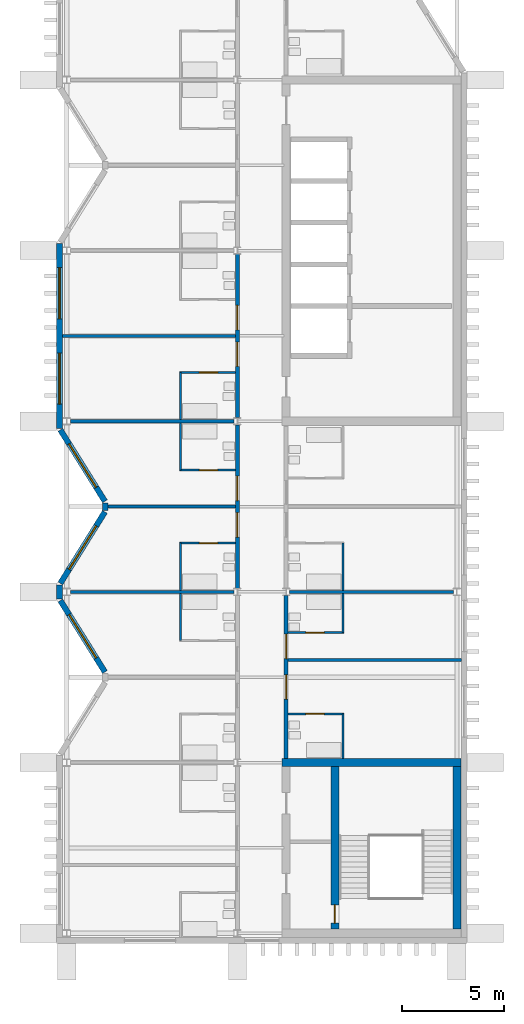
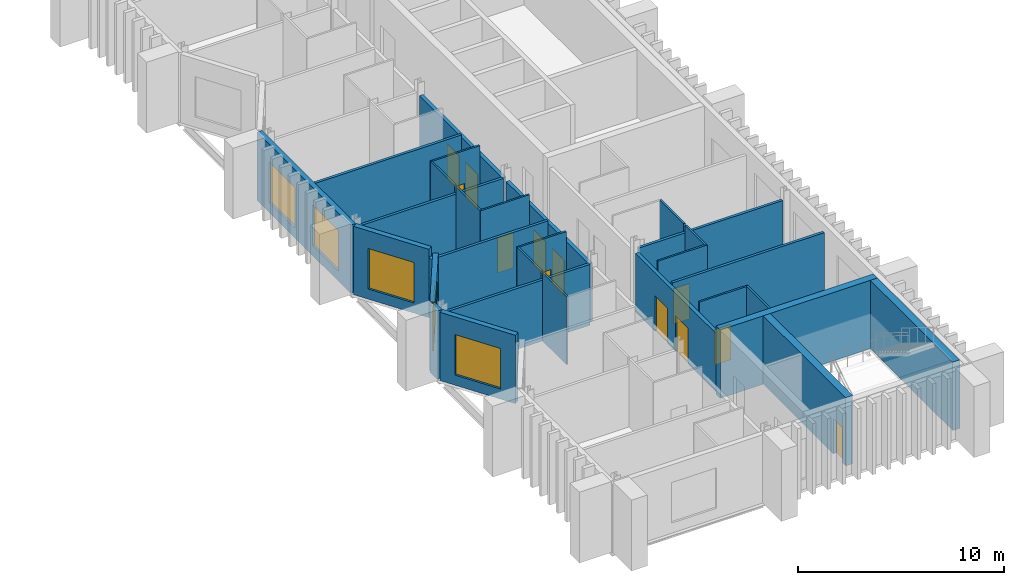
# One storey, part 5 of 11: 30 walls, 12 doors, 5 windows, 17 openings.
"""IFC4 building model written with IfcOpenShell, lengths in metres."""

from ifc_helpers import new_model, si_unit, direction, frame, frame_2d, origin, place, context, subcontext, project, spatial, rectangle, extrude, material, layer, layer_set, type_object, element, fill, save


model = new_model("IFC4")

# Units and contexts
model_context = context("Model", 3, precision=1e-05, world=origin(), true_north=direction((0.0, 1.0)))
body_context = subcontext(model_context, "Body", "Model", "MODEL_VIEW")
ifc_project = project(units=[si_unit("LENGTHUNIT", "METRE"), si_unit("AREAUNIT", "SQUARE_METRE"), si_unit("VOLUMEUNIT", "CUBIC_METRE"), si_unit("PLANEANGLEUNIT", "RADIAN"), si_unit("MASSUNIT", "GRAM", prefix="KILO")], contexts=[model_context])

# Site, building, storey
site_placement = place(None, origin())
site = spatial("IfcSite", under=ifc_project, at=site_placement, CompositionType="ELEMENT")
building_placement = place(site_placement, origin())
building = spatial("IfcBuilding", under=site, at=building_placement, Name="Cresset Court Congress Hotel", CompositionType="ELEMENT")
storey_placement = place(building_placement, frame((0.0, 0.0, 43.800048828125)))
storey = spatial("IfcBuildingStorey", under=building, at=storey_placement, Name="L10", CompositionType="ELEMENT", Elevation=43.800048828125)

# Wall, openings, doors
ifc_material_1 = material(Name="Gypsum board partition")
ifc_layer_1 = layer(ifc_material_1, 0.199951171875)
ifc_layer_set_1 = layer_set([ifc_layer_1], Name="Corridor wall 200")
wall_type_1 = type_object("IfcWallType", Name="Corridor wall 200", PredefinedType="PARTITIONING", material=ifc_layer_set_1)
wall_1_placement = place(storey_placement, frame((165.60009765625, 16.97509765625, 0.0), z_axis=(0.0, 0.0, 1.0), x_axis=(0.0, 1.0, 0.0)))
wall_1 = element("IfcWall", 1, at=wall_1_placement, inside=storey, type_object=wall_type_1, Name="A.wl.L10.072", PredefinedType="PARTITIONING", context=body_context, shape_type="SweptSolid", body=[
    extrude(rectangle(XDim=8.0498046875, YDim=0.199951171875, at=frame_2d((4.02490234375, 0.0))), origin(), (0.0, 0.0, 1.0), 3.449951171875),
])
opening_1_placement = place(wall_1_placement, frame((2.52490234375, 0.0, 0.0)))
opening_1 = element("IfcOpeningElement", 2, at=opening_1_placement, cuts=wall_1, Name="Opening DA-10-10", PredefinedType="OPENING", context=body_context, shape_type="SweptSolid", body=[
    extrude(rectangle(XDim=1.199951171875, YDim=2.10009765625, at=frame_2d((0.60009765625, 1.050048828125))), frame((0.0, 0.10986328125, 0.0), z_axis=(0.0, -1.0, 0.0), x_axis=(1.0, 0.0, 0.0)), (0.0, 0.0, 1.0), 0.219970703125),
])
opening_2_placement = place(wall_1_placement, frame((4.324951171875, 0.0, 0.0)))
opening_2 = element("IfcOpeningElement", 3, at=opening_2_placement, cuts=wall_1, Name="Opening DA-10-12", PredefinedType="OPENING", context=body_context, shape_type="SweptSolid", body=[
    extrude(rectangle(XDim=1.199951171875, YDim=2.10009765625, at=frame_2d((0.60009765625, 1.050048828125))), frame((0.0, 0.10986328125, 0.0), z_axis=(0.0, -1.0, 0.0), x_axis=(1.0, 0.0, 0.0)), (0.0, 0.0, 1.0), 0.219970703125),
])
ifc_material_2 = material(Name="timber", Category="wood")
door_type_1 = type_object("IfcDoorType", Name="Guest-room entry door 1200x2100 FD30S", OperationType="SINGLE_SWING_LEFT", PredefinedType="DOOR", material=ifc_material_2)
door_1_placement = place(opening_1_placement, origin())
door_1 = element("IfcDoor", 4, at=door_1_placement, inside=storey, type_object=door_type_1, Name="Door DA-10-10", OperationType="SINGLE_SWING_RIGHT", OverallHeight=2.10009765625, OverallWidth=1.199951171875, PredefinedType="DOOR", context=body_context, shape_type="SweptSolid", body=[
    extrude(rectangle(XDim=1.199951171875, YDim=2.10009765625, at=frame_2d((0.60009765625, 1.050048828125))), frame((0.0, 0.02490234375, 0.0), z_axis=(0.0, -1.0, 0.0), x_axis=(1.0, 0.0, 0.0)), (0.0, 0.0, 1.0), 0.050048828125),
])
fill(opening_1, door_1)
door_2_placement = place(opening_2_placement, origin())
door_2 = element("IfcDoor", 5, at=door_2_placement, inside=storey, type_object=door_type_1, Name="Door DA-10-12", OperationType="SINGLE_SWING_LEFT", OverallHeight=2.10009765625, OverallWidth=1.199951171875, PredefinedType="DOOR", context=body_context, shape_type="SweptSolid", body=[
    extrude(rectangle(XDim=1.199951171875, YDim=2.10009765625, at=frame_2d((0.60009765625, 1.050048828125))), frame((0.0, 0.02490234375, 0.0), z_axis=(0.0, -1.0, 0.0), x_axis=(1.0, 0.0, 0.0)), (0.0, 0.0, 1.0), 0.050048828125),
])
fill(opening_2, door_2)

wall_2_placement = place(storey_placement, frame((165.60009765625, 25.375, 0.0), z_axis=(0.0, 0.0, 1.0), x_axis=(0.0, 1.0, 0.0)))
wall_2 = element("IfcWall", 6, at=wall_2_placement, inside=storey, type_object=wall_type_1, Name="A.wl.L10.073", PredefinedType="PARTITIONING", context=body_context, shape_type="SweptSolid", body=[
    extrude(rectangle(XDim=8.050048828125, YDim=0.199951171875, at=frame_2d((4.02490234375, 0.0))), origin(), (0.0, 0.0, 1.0), 3.449951171875),
])
opening_3_placement = place(wall_2_placement, frame((2.52490234375, 0.0, 0.0)))
opening_3 = element("IfcOpeningElement", 7, at=opening_3_placement, cuts=wall_2, Name="Opening DA-10-14", PredefinedType="OPENING", context=body_context, shape_type="SweptSolid", body=[
    extrude(rectangle(XDim=1.199951171875, YDim=2.10009765625, at=frame_2d((0.60009765625, 1.050048828125))), frame((0.0, 0.10986328125, 0.0), z_axis=(0.0, -1.0, 0.0), x_axis=(1.0, 0.0, 0.0)), (0.0, 0.0, 1.0), 0.219970703125),
])
opening_4_placement = place(wall_2_placement, frame((4.324951171875, 0.0, 0.0)))
opening_4 = element("IfcOpeningElement", 8, at=opening_4_placement, cuts=wall_2, Name="Opening DA-10-16", PredefinedType="OPENING", context=body_context, shape_type="SweptSolid", body=[
    extrude(rectangle(XDim=1.199951171875, YDim=2.10009765625, at=frame_2d((0.60009765625, 1.050048828125))), frame((0.0, 0.10986328125, 0.0), z_axis=(0.0, -1.0, 0.0), x_axis=(1.0, 0.0, 0.0)), (0.0, 0.0, 1.0), 0.219970703125),
])
door_3_placement = place(opening_3_placement, origin())
door_3 = element("IfcDoor", 9, at=door_3_placement, inside=storey, type_object=door_type_1, Name="Door DA-10-14", OperationType="SINGLE_SWING_RIGHT", OverallHeight=2.10009765625, OverallWidth=1.199951171875, PredefinedType="DOOR", context=body_context, shape_type="SweptSolid", body=[
    extrude(rectangle(XDim=1.199951171875, YDim=2.10009765625, at=frame_2d((0.60009765625, 1.050048828125))), frame((0.0, 0.02490234375, 0.0), z_axis=(0.0, -1.0, 0.0), x_axis=(1.0, 0.0, 0.0)), (0.0, 0.0, 1.0), 0.050048828125),
])
fill(opening_3, door_3)
door_4_placement = place(opening_4_placement, origin())
door_4 = element("IfcDoor", 10, at=door_4_placement, inside=storey, type_object=door_type_1, Name="Door DA-10-16", OperationType="SINGLE_SWING_LEFT", OverallHeight=2.10009765625, OverallWidth=1.199951171875, PredefinedType="DOOR", context=body_context, shape_type="SweptSolid", body=[
    extrude(rectangle(XDim=1.199951171875, YDim=2.10009765625, at=frame_2d((0.60009765625, 1.050048828125))), frame((0.0, 0.02490234375, 0.0), z_axis=(0.0, -1.0, 0.0), x_axis=(1.0, 0.0, 0.0)), (0.0, 0.0, 1.0), 0.050048828125),
])
fill(opening_4, door_4)

wall_3_placement = place(storey_placement, frame((168.0, 8.60009765625, 0.0), z_axis=(0.0, 0.0, 1.0), x_axis=(0.0, 1.0, 0.0)))
wall_3 = element("IfcWall", 11, at=wall_3_placement, inside=storey, type_object=wall_type_1, Name="A.wl.L10.078", PredefinedType="PARTITIONING", context=body_context, shape_type="SweptSolid", body=[
    extrude(rectangle(XDim=8.02490234375, YDim=0.199951171875, at=frame_2d((4.012451171875, 0.0))), origin(), (0.0, 0.0, 1.0), 3.449951171875),
])
opening_5_placement = place(wall_3_placement, frame((2.919921875, 0.0, 0.0)))
opening_5 = element("IfcOpeningElement", 12, at=opening_5_placement, cuts=wall_3, Name="Opening DA-10-34", PredefinedType="OPENING", context=body_context, shape_type="SweptSolid", body=[
    extrude(rectangle(XDim=1.199951171875, YDim=2.10009765625, at=frame_2d((0.60009765625, 1.050048828125))), frame((0.0, 0.10986328125, 0.0), z_axis=(0.0, -1.0, 0.0), x_axis=(1.0, 0.0, 0.0)), (0.0, 0.0, 1.0), 0.219970703125),
])
opening_6_placement = place(wall_3_placement, frame((4.919921875, 0.0, 0.0)))
opening_6 = element("IfcOpeningElement", 13, at=opening_6_placement, cuts=wall_3, Name="Opening DA-10-36", PredefinedType="OPENING", context=body_context, shape_type="SweptSolid", body=[
    extrude(rectangle(XDim=1.199951171875, YDim=2.10009765625, at=frame_2d((0.60009765625, 1.050048828125))), frame((0.0, 0.10986328125, 0.0), z_axis=(0.0, -1.0, 0.0), x_axis=(1.0, 0.0, 0.0)), (0.0, 0.0, 1.0), 0.219970703125),
])
door_5_placement = place(opening_5_placement, origin())
door_5 = element("IfcDoor", 14, at=door_5_placement, inside=storey, type_object=door_type_1, Name="Door DA-10-34", OperationType="SINGLE_SWING_RIGHT", OverallHeight=2.10009765625, OverallWidth=1.199951171875, PredefinedType="DOOR", context=body_context, shape_type="SweptSolid", body=[
    extrude(rectangle(XDim=1.199951171875, YDim=2.10009765625, at=frame_2d((0.60009765625, 1.050048828125))), frame((0.0, 0.02490234375, 0.0), z_axis=(0.0, -1.0, 0.0), x_axis=(1.0, 0.0, 0.0)), (0.0, 0.0, 1.0), 0.050048828125),
])
fill(opening_5, door_5)
door_6_placement = place(opening_6_placement, origin())
door_6 = element("IfcDoor", 15, at=door_6_placement, inside=storey, type_object=door_type_1, Name="Door DA-10-36", OperationType="SINGLE_SWING_LEFT", OverallHeight=2.10009765625, OverallWidth=1.199951171875, PredefinedType="DOOR", context=body_context, shape_type="SweptSolid", body=[
    extrude(rectangle(XDim=1.199951171875, YDim=2.10009765625, at=frame_2d((0.60009765625, 1.050048828125))), frame((0.0, 0.02490234375, 0.0), z_axis=(0.0, -1.0, 0.0), x_axis=(1.0, 0.0, 0.0)), (0.0, 0.0, 1.0), 0.050048828125),
])
fill(opening_6, door_6)

# Walls
ifc_material_3 = material(Name="Gypsum board partition")
ifc_layer_2 = layer(ifc_material_3, 0.10009765625)
ifc_layer_set_2 = layer_set([ifc_layer_2], Name="En-suite wall 100")
wall_type_2 = type_object("IfcWallType", Name="En-suite wall 100", PredefinedType="PARTITIONING", material=ifc_layer_set_2)
wall_4_placement = place(storey_placement, frame((162.800048828125, 14.39990234375, 0.0), z_axis=(0.0, 0.0, 1.0), x_axis=(0.0, 1.0, 0.0)))
element("IfcWall", 16, at=wall_4_placement, inside=storey, type_object=wall_type_2, Name="A.wl.L10.007", PredefinedType="PARTITIONING", context=body_context, shape_type="SweptSolid", body=[
    extrude(rectangle(XDim=2.3251953125, YDim=0.10009765625, at=frame_2d((1.16259765625, 0.0))), origin(), (0.0, 0.0, 1.0), 4.050048828125),
])
wall_5_placement = place(storey_placement, frame((162.800048828125, 16.875, 0.0), z_axis=(0.0, 0.0, 1.0), x_axis=(0.0, 1.0, 0.0)))
element("IfcWall", 17, at=wall_5_placement, inside=storey, type_object=wall_type_2, Name="A.wl.L10.009", PredefinedType="PARTITIONING", context=body_context, shape_type="SweptSolid", body=[
    extrude(rectangle(XDim=2.324951171875, YDim=0.10009765625, at=frame_2d((1.16259765625, 0.0))), origin(), (0.0, 0.0, 1.0), 4.050048828125),
])

# Wall, opening, door
wall_6_placement = place(storey_placement, frame((162.75, 19.199951171875, 0.0), z_axis=(0.0, 0.0, 1.0), x_axis=(1.0, 0.0, 0.0)))
wall_6 = element("IfcWall", 18, at=wall_6_placement, inside=storey, type_object=wall_type_2, Name="A.wl.L10.010", PredefinedType="PARTITIONING", context=body_context, shape_type="SweptSolid", body=[
    extrude(rectangle(XDim=2.75, YDim=0.10009765625, at=frame_2d((1.375, 0.0))), origin(), (0.0, 0.0, 1.0), 4.050048828125),
])
opening_7_placement = place(wall_6_placement, frame((0.97998046875, 0.0, 0.0)))
opening_7 = element("IfcOpeningElement", 19, at=opening_7_placement, cuts=wall_6, Name="Opening DA-10-09", PredefinedType="OPENING", context=body_context, shape_type="SweptSolid", body=[
    extrude(rectangle(XDim=0.89990234375, YDim=2.10009765625, at=frame_2d((0.449951171875, 1.050048828125))), frame((0.0, 0.06005859375, 0.0), z_axis=(0.0, -1.0, 0.0), x_axis=(1.0, 0.0, 0.0)), (0.0, 0.0, 1.0), 0.1201171875),
])
ifc_material_4 = material(Name="timber", Category="wood")
door_type_2 = type_object("IfcDoorType", Name="En-suite door 900x2100", OperationType="SINGLE_SWING_LEFT", PredefinedType="DOOR", material=ifc_material_4)
door_7_placement = place(opening_7_placement, origin())
door_7 = element("IfcDoor", 20, at=door_7_placement, inside=storey, type_object=door_type_2, Name="Door DA-10-09", OperationType="SINGLE_SWING_RIGHT", OverallHeight=2.10009765625, OverallWidth=0.89990234375, PredefinedType="DOOR", context=body_context, shape_type="SweptSolid", body=[
    extrude(rectangle(XDim=0.89990234375, YDim=2.10009765625, at=frame_2d((0.449951171875, 1.050048828125))), frame((0.0, 0.02490234375, 0.0), z_axis=(0.0, -1.0, 0.0), x_axis=(1.0, 0.0, 0.0)), (0.0, 0.0, 1.0), 0.050048828125),
])
fill(opening_7, door_7)

# Wall
wall_7_placement = place(storey_placement, frame((162.800048828125, 22.800048828125, 0.0), z_axis=(0.0, 0.0, 1.0), x_axis=(0.0, 1.0, 0.0)))
element("IfcWall", 21, at=wall_7_placement, inside=storey, type_object=wall_type_2, Name="A.wl.L10.011", PredefinedType="PARTITIONING", context=body_context, shape_type="SweptSolid", body=[
    extrude(rectangle(XDim=2.324951171875, YDim=0.10009765625, at=frame_2d((1.16259765625, 0.0))), origin(), (0.0, 0.0, 1.0), 4.050048828125),
])

# Wall, opening, door
wall_8_placement = place(storey_placement, frame((162.75, 22.800048828125, 0.0), z_axis=(0.0, 0.0, 1.0), x_axis=(1.0, 0.0, 0.0)))
wall_8 = element("IfcWall", 22, at=wall_8_placement, inside=storey, type_object=wall_type_2, Name="A.wl.L10.012", PredefinedType="PARTITIONING", context=body_context, shape_type="SweptSolid", body=[
    extrude(rectangle(XDim=2.75, YDim=0.10009765625, at=frame_2d((1.375, 0.0))), origin(), (0.0, 0.0, 1.0), 4.050048828125),
])
opening_8_placement = place(wall_8_placement, frame((0.97998046875, 0.0, 0.0)))
opening_8 = element("IfcOpeningElement", 23, at=opening_8_placement, cuts=wall_8, Name="Opening DA-10-11", PredefinedType="OPENING", context=body_context, shape_type="SweptSolid", body=[
    extrude(rectangle(XDim=0.89990234375, YDim=2.10009765625, at=frame_2d((0.449951171875, 1.050048828125))), frame((0.0, 0.06005859375, 0.0), z_axis=(0.0, -1.0, 0.0), x_axis=(1.0, 0.0, 0.0)), (0.0, 0.0, 1.0), 0.1201171875),
])
door_8_placement = place(opening_8_placement, origin())
door_8 = element("IfcDoor", 24, at=door_8_placement, inside=storey, type_object=door_type_2, Name="Door DA-10-11", OperationType="SINGLE_SWING_LEFT", OverallHeight=2.10009765625, OverallWidth=0.89990234375, PredefinedType="DOOR", context=body_context, shape_type="SweptSolid", body=[
    extrude(rectangle(XDim=0.89990234375, YDim=2.10009765625, at=frame_2d((0.449951171875, 1.050048828125))), frame((0.0, 0.02490234375, 0.0), z_axis=(0.0, -1.0, 0.0), x_axis=(1.0, 0.0, 0.0)), (0.0, 0.0, 1.0), 0.050048828125),
])
fill(opening_8, door_8)

# Wall
wall_9_placement = place(storey_placement, frame((162.800048828125, 25.27490234375, 0.0), z_axis=(0.0, 0.0, 1.0), x_axis=(0.0, 1.0, 0.0)))
element("IfcWall", 25, at=wall_9_placement, inside=storey, type_object=wall_type_2, Name="A.wl.L10.013", PredefinedType="PARTITIONING", context=body_context, shape_type="SweptSolid", body=[
    extrude(rectangle(XDim=2.3251953125, YDim=0.10009765625, at=frame_2d((1.16259765625, 0.0))), origin(), (0.0, 0.0, 1.0), 4.050048828125),
])

# Wall, opening, door
wall_10_placement = place(storey_placement, frame((162.75, 27.60009765625, 0.0), z_axis=(0.0, 0.0, 1.0), x_axis=(1.0, 0.0, 0.0)))
wall_10 = element("IfcWall", 26, at=wall_10_placement, inside=storey, type_object=wall_type_2, Name="A.wl.L10.014", PredefinedType="PARTITIONING", context=body_context, shape_type="SweptSolid", body=[
    extrude(rectangle(XDim=2.75, YDim=0.10009765625, at=frame_2d((1.375, 0.0))), origin(), (0.0, 0.0, 1.0), 4.050048828125),
])
opening_9_placement = place(wall_10_placement, frame((0.97998046875, 0.0, 0.0)))
opening_9 = element("IfcOpeningElement", 27, at=opening_9_placement, cuts=wall_10, Name="Opening DA-10-13", PredefinedType="OPENING", context=body_context, shape_type="SweptSolid", body=[
    extrude(rectangle(XDim=0.89990234375, YDim=2.10009765625, at=frame_2d((0.449951171875, 1.050048828125))), frame((0.0, 0.06005859375, 0.0), z_axis=(0.0, -1.0, 0.0), x_axis=(1.0, 0.0, 0.0)), (0.0, 0.0, 1.0), 0.1201171875),
])
door_9_placement = place(opening_9_placement, origin())
door_9 = element("IfcDoor", 28, at=door_9_placement, inside=storey, type_object=door_type_2, Name="Door DA-10-13", OperationType="SINGLE_SWING_RIGHT", OverallHeight=2.10009765625, OverallWidth=0.89990234375, PredefinedType="DOOR", context=body_context, shape_type="SweptSolid", body=[
    extrude(rectangle(XDim=0.89990234375, YDim=2.10009765625, at=frame_2d((0.449951171875, 1.050048828125))), frame((0.0, 0.02490234375, 0.0), z_axis=(0.0, -1.0, 0.0), x_axis=(1.0, 0.0, 0.0)), (0.0, 0.0, 1.0), 0.050048828125),
])
fill(opening_9, door_9)

# Wall
wall_11_placement = place(storey_placement, frame((170.800048828125, 8.60009765625, 0.0), z_axis=(0.0, 0.0, 1.0), x_axis=(0.0, 1.0, 0.0)))
element("IfcWall", 29, at=wall_11_placement, inside=storey, type_object=wall_type_2, Name="A.wl.L10.033", PredefinedType="PARTITIONING", context=body_context, shape_type="SweptSolid", body=[
    extrude(rectangle(XDim=2.199951171875, YDim=0.10009765625, at=frame_2d((1.10009765625, 0.0))), origin(), (0.0, 0.0, 1.0), 4.050048828125),
])

# Wall, opening, door
wall_12_placement = place(storey_placement, frame((170.85009765625, 10.800048828125, 0.0), z_axis=(0.0, 0.0, 1.0), x_axis=(-1.0, 0.0, 0.0)))
wall_12 = element("IfcWall", 30, at=wall_12_placement, inside=storey, type_object=wall_type_2, Name="A.wl.L10.034", PredefinedType="PARTITIONING", context=body_context, shape_type="SweptSolid", body=[
    extrude(rectangle(XDim=2.75, YDim=0.10009765625, at=frame_2d((1.375, 0.0))), origin(), (0.0, 0.0, 1.0), 4.050048828125),
])
opening_10_placement = place(wall_12_placement, frame((0.97998046875, 0.0, 0.0)))
opening_10 = element("IfcOpeningElement", 31, at=opening_10_placement, cuts=wall_12, Name="Opening DA-10-33", PredefinedType="OPENING", context=body_context, shape_type="SweptSolid", body=[
    extrude(rectangle(XDim=0.89990234375, YDim=2.10009765625, at=frame_2d((0.449951171875, 1.050048828125))), frame((0.0, 0.06005859375, 0.0), z_axis=(0.0, -1.0, 0.0), x_axis=(1.0, 0.0, 0.0)), (0.0, 0.0, 1.0), 0.1201171875),
])
door_10_placement = place(opening_10_placement, origin())
door_10 = element("IfcDoor", 32, at=door_10_placement, inside=storey, type_object=door_type_2, Name="Door DA-10-33", OperationType="SINGLE_SWING_RIGHT", OverallHeight=2.10009765625, OverallWidth=0.89990234375, PredefinedType="DOOR", context=body_context, shape_type="SweptSolid", body=[
    extrude(rectangle(XDim=0.89990234375, YDim=2.10009765625, at=frame_2d((0.449951171875, 1.050048828125))), frame((0.0, 0.02490234375, 0.0), z_axis=(0.0, -1.0, 0.0), x_axis=(1.0, 0.0, 0.0)), (0.0, 0.0, 1.0), 0.050048828125),
])
fill(opening_10, door_10)

# Wall
wall_13_placement = place(storey_placement, frame((170.800048828125, 14.800048828125, 0.0), z_axis=(0.0, 0.0, 1.0), x_axis=(0.0, 1.0, 0.0)))
element("IfcWall", 33, at=wall_13_placement, inside=storey, type_object=wall_type_2, Name="A.wl.L10.035", PredefinedType="PARTITIONING", context=body_context, shape_type="SweptSolid", body=[
    extrude(rectangle(XDim=1.925048828125, YDim=0.10009765625, at=frame_2d((0.96240234375, 0.0))), origin(), (0.0, 0.0, 1.0), 4.050048828125),
])

# Wall, opening, door
wall_14_placement = place(storey_placement, frame((170.85009765625, 14.800048828125, 0.0), z_axis=(0.0, 0.0, 1.0), x_axis=(-1.0, 0.0, 0.0)))
wall_14 = element("IfcWall", 34, at=wall_14_placement, inside=storey, type_object=wall_type_2, Name="A.wl.L10.036", PredefinedType="PARTITIONING", context=body_context, shape_type="SweptSolid", body=[
    extrude(rectangle(XDim=2.75, YDim=0.10009765625, at=frame_2d((1.375, 0.0))), origin(), (0.0, 0.0, 1.0), 4.050048828125),
])
opening_11_placement = place(wall_14_placement, frame((0.97998046875, 0.0, 0.0)))
opening_11 = element("IfcOpeningElement", 35, at=opening_11_placement, cuts=wall_14, Name="Opening DA-10-35", PredefinedType="OPENING", context=body_context, shape_type="SweptSolid", body=[
    extrude(rectangle(XDim=0.89990234375, YDim=2.10009765625, at=frame_2d((0.449951171875, 1.050048828125))), frame((0.0, 0.06005859375, 0.0), z_axis=(0.0, -1.0, 0.0), x_axis=(1.0, 0.0, 0.0)), (0.0, 0.0, 1.0), 0.1201171875),
])
door_11_placement = place(opening_11_placement, origin())
door_11 = element("IfcDoor", 36, at=door_11_placement, inside=storey, type_object=door_type_2, Name="Door DA-10-35", OperationType="SINGLE_SWING_LEFT", OverallHeight=2.10009765625, OverallWidth=0.89990234375, PredefinedType="DOOR", context=body_context, shape_type="SweptSolid", body=[
    extrude(rectangle(XDim=0.89990234375, YDim=2.10009765625, at=frame_2d((0.449951171875, 1.050048828125))), frame((0.0, 0.02490234375, 0.0), z_axis=(0.0, -1.0, 0.0), x_axis=(1.0, 0.0, 0.0)), (0.0, 0.0, 1.0), 0.050048828125),
])
fill(opening_11, door_11)

# Wall
wall_15_placement = place(storey_placement, frame((170.800048828125, 16.875, 0.0), z_axis=(0.0, 0.0, 1.0), x_axis=(0.0, 1.0, 0.0)))
element("IfcWall", 37, at=wall_15_placement, inside=storey, type_object=wall_type_2, Name="A.wl.L10.037", PredefinedType="PARTITIONING", context=body_context, shape_type="SweptSolid", body=[
    extrude(rectangle(XDim=2.324951171875, YDim=0.10009765625, at=frame_2d((1.16259765625, 0.0))), origin(), (0.0, 0.0, 1.0), 4.050048828125),
])

# Wall, opening, window
ifc_material_5 = material(Name="Precast concrete C50", Category="concrete")
ifc_layer_3 = layer(ifc_material_5, 0.280029296875)
ifc_layer_set_3 = layer_set([ifc_layer_3], Name="External wall 280")
wall_type_3 = type_object("IfcWallType", Name="External wall 280", PredefinedType="SOLIDWALL", material=ifc_layer_set_3)
wall_16_placement = place(storey_placement, frame((159.07861328125, 12.85888671875, 0.0), z_axis=(0.0, 0.0, 1.0), x_axis=(-0.528992500338, 0.848626498871, 0.0)))
wall_16 = element("IfcWall", 38, at=wall_16_placement, inside=storey, type_object=wall_type_3, Name="A.ew.L10.Wn.1.1", PredefinedType="SOLIDWALL", context=body_context, shape_type="SweptSolid", body=[
    extrude(rectangle(XDim=4.14453125, YDim=0.280029296875, at=frame_2d((2.072265625, 0.0))), origin(), (0.0, 0.0, 1.0), 4.050048828125),
])
opening_12_placement = place(wall_16_placement, frame((0.812255859375, 0.0, 0.60009765625)))
opening_12 = element("IfcOpeningElement", 39, at=opening_12_placement, cuts=wall_16, Name="Opening NA-10-04", PredefinedType="OPENING", context=body_context, shape_type="SweptSolid", body=[
    extrude(rectangle(XDim=2.52001953125, YDim=2.39990234375, at=frame_2d((1.260009765625, 1.199951171875))), frame((0.0, 0.14990234375, 0.0), z_axis=(0.0, -1.0, 0.0), x_axis=(1.0, 0.0, 0.0)), (0.0, 0.0, 1.0), 0.300048828125),
])
ifc_material_6 = material(Name="Aluminium and glass", Category="aluminium")
window_type = type_object("IfcWindowType", Name="Window 2520x2400", PartitioningType="SINGLE_PANEL", PredefinedType="WINDOW", material=ifc_material_6)
window_1_placement = place(opening_12_placement, origin())
window_1 = element("IfcWindow", 40, at=window_1_placement, inside=storey, type_object=window_type, Name="Window NA-10-04", OverallHeight=2.39990234375, OverallWidth=2.52001953125, PartitioningType="SINGLE_PANEL", PredefinedType="WINDOW", context=body_context, shape_type="SweptSolid", body=[
    extrude(rectangle(XDim=2.52001953125, YDim=2.39990234375, at=frame_2d((1.260009765625, 1.199951171875))), frame((0.0, 0.030029296875, 0.0), z_axis=(0.0, -1.0, 0.0), x_axis=(1.0, 0.0, 0.0)), (0.0, 0.0, 1.0), 0.06005859375),
])
fill(opening_12, window_1)

# Wall
wall_17_placement = place(storey_placement, frame((156.840087890625, 16.449951171875, 0.0), z_axis=(0.0, 0.0, 1.0), x_axis=(0.0, 1.0, 0.0)))
element("IfcWall", 41, at=wall_17_placement, inside=storey, type_object=wall_type_3, Name="A.ew.L10.W.2", PredefinedType="SOLIDWALL", context=body_context, shape_type="SweptSolid", body=[
    extrude(rectangle(XDim=0.699951171875, YDim=0.280029296875, at=frame_2d((0.35009765625, 0.0))), origin(), (0.0, 0.0, 1.0), 4.050048828125),
])

# Wall, opening, window
wall_18_placement = place(storey_placement, frame((156.88623046875, 17.22412109375, 0.0), z_axis=(0.0, 0.0, 1.0), x_axis=(0.529018946142, 0.848610013271, 0.0)))
wall_18 = element("IfcWall", 42, at=wall_18_placement, inside=storey, type_object=wall_type_3, Name="A.ew.L10.Wn.2.0", PredefinedType="SOLIDWALL", context=body_context, shape_type="SweptSolid", body=[
    extrude(rectangle(XDim=4.144287109375, YDim=0.280029296875, at=frame_2d((2.072265625, 0.0))), origin(), (0.0, 0.0, 1.0), 4.050048828125),
])
opening_13_placement = place(wall_18_placement, frame((0.812255859375, 0.0, 0.60009765625)))
opening_13 = element("IfcOpeningElement", 43, at=opening_13_placement, cuts=wall_18, Name="Opening NA-10-05", PredefinedType="OPENING", context=body_context, shape_type="SweptSolid", body=[
    extrude(rectangle(XDim=2.52001953125, YDim=2.39990234375, at=frame_2d((1.260009765625, 1.199951171875))), frame((0.0, 0.14990234375, 0.0), z_axis=(0.0, -1.0, 0.0), x_axis=(1.0, 0.0, 0.0)), (0.0, 0.0, 1.0), 0.300048828125),
])
window_2_placement = place(opening_13_placement, origin())
window_2 = element("IfcWindow", 44, at=window_2_placement, inside=storey, type_object=window_type, Name="Window NA-10-05", OverallHeight=2.39990234375, OverallWidth=2.52001953125, PartitioningType="SINGLE_PANEL", PredefinedType="WINDOW", context=body_context, shape_type="SweptSolid", body=[
    extrude(rectangle(XDim=2.52001953125, YDim=2.39990234375, at=frame_2d((1.260009765625, 1.199951171875))), frame((0.0, 0.030029296875, 0.0), z_axis=(0.0, -1.0, 0.0), x_axis=(1.0, 0.0, 0.0)), (0.0, 0.0, 1.0), 0.06005859375),
])
fill(opening_13, window_2)

wall_19_placement = place(storey_placement, frame((159.07861328125, 21.259033203125, 0.0), z_axis=(0.0, 0.0, 1.0), x_axis=(-0.529018946142, 0.848610013271, 0.0)))
wall_19 = element("IfcWall", 45, at=wall_19_placement, inside=storey, type_object=wall_type_3, Name="A.ew.L10.Wn.2.1", PredefinedType="SOLIDWALL", context=body_context, shape_type="SweptSolid", body=[
    extrude(rectangle(XDim=4.144287109375, YDim=0.280029296875, at=frame_2d((2.072265625, 0.0))), origin(), (0.0, 0.0, 1.0), 4.050048828125),
])
opening_14_placement = place(wall_19_placement, frame((0.812255859375, 0.0, 0.60009765625)))
opening_14 = element("IfcOpeningElement", 46, at=opening_14_placement, cuts=wall_19, Name="Opening NA-10-06", PredefinedType="OPENING", context=body_context, shape_type="SweptSolid", body=[
    extrude(rectangle(XDim=2.52001953125, YDim=2.39990234375, at=frame_2d((1.260009765625, 1.199951171875))), frame((0.0, 0.14990234375, 0.0), z_axis=(0.0, -1.0, 0.0), x_axis=(1.0, 0.0, 0.0)), (0.0, 0.0, 1.0), 0.300048828125),
])
window_3_placement = place(opening_14_placement, origin())
window_3 = element("IfcWindow", 47, at=window_3_placement, inside=storey, type_object=window_type, Name="Window NA-10-06", OverallHeight=2.39990234375, OverallWidth=2.52001953125, PartitioningType="SINGLE_PANEL", PredefinedType="WINDOW", context=body_context, shape_type="SweptSolid", body=[
    extrude(rectangle(XDim=2.52001953125, YDim=2.39990234375, at=frame_2d((1.260009765625, 1.199951171875))), frame((0.0, 0.030029296875, 0.0), z_axis=(0.0, -1.0, 0.0), x_axis=(1.0, 0.0, 0.0)), (0.0, 0.0, 1.0), 0.06005859375),
])
fill(opening_14, window_3)

# Wall
wall_20_placement = place(storey_placement, frame((159.099609375, 20.815185546875, 0.0), z_axis=(0.0, 0.0, 1.0), x_axis=(0.0, 1.0, 0.0)))
element("IfcWall", 48, at=wall_20_placement, inside=storey, type_object=wall_type_3, Name="A.ew.L10.Wn.2.2", PredefinedType="SOLIDWALL", context=body_context, shape_type="SweptSolid", body=[
    extrude(rectangle(XDim=0.36962890625, YDim=0.280029296875, at=frame_2d((0.184814453125, 0.0))), origin(), (0.0, 0.0, 1.0), 3.60400390625),
])

# Wall, openings, windows
wall_21_placement = place(storey_placement, frame((156.840087890625, 24.85009765625, 0.0), z_axis=(0.0, 0.0, 1.0), x_axis=(0.0, 1.0, 0.0)))
wall_21 = element("IfcWall", 49, at=wall_21_placement, inside=storey, type_object=wall_type_3, Name="A.ew.L10.W.3", PredefinedType="SOLIDWALL", context=body_context, shape_type="SweptSolid", body=[
    extrude(rectangle(XDim=9.099853515625, YDim=0.280029296875, at=frame_2d((4.5498046875, 0.0))), origin(), (0.0, 0.0, 1.0), 4.050048828125),
])
opening_15_placement = place(wall_21_placement, frame((1.18994140625, 0.0, 0.60009765625)))
opening_15 = element("IfcOpeningElement", 50, at=opening_15_placement, cuts=wall_21, Name="Opening NA-10-07", PredefinedType="OPENING", context=body_context, shape_type="SweptSolid", body=[
    extrude(rectangle(XDim=2.52001953125, YDim=2.39990234375, at=frame_2d((1.260009765625, 1.199951171875))), frame((0.0, 0.14990234375, 0.0), z_axis=(0.0, -1.0, 0.0), x_axis=(1.0, 0.0, 0.0)), (0.0, 0.0, 1.0), 0.300048828125),
])
opening_16_placement = place(wall_21_placement, frame((5.389892578125, 0.0, 0.60009765625)))
opening_16 = element("IfcOpeningElement", 51, at=opening_16_placement, cuts=wall_21, Name="Opening NA-10-08", PredefinedType="OPENING", context=body_context, shape_type="SweptSolid", body=[
    extrude(rectangle(XDim=2.52001953125, YDim=2.39990234375, at=frame_2d((1.260009765625, 1.199951171875))), frame((0.0, 0.14990234375, 0.0), z_axis=(0.0, -1.0, 0.0), x_axis=(1.0, 0.0, 0.0)), (0.0, 0.0, 1.0), 0.300048828125),
])
window_4_placement = place(opening_15_placement, origin())
window_4 = element("IfcWindow", 52, at=window_4_placement, inside=storey, type_object=window_type, Name="Window NA-10-07", OverallHeight=2.39990234375, OverallWidth=2.52001953125, PartitioningType="SINGLE_PANEL", PredefinedType="WINDOW", context=body_context, shape_type="SweptSolid", body=[
    extrude(rectangle(XDim=2.52001953125, YDim=2.39990234375, at=frame_2d((1.260009765625, 1.199951171875))), frame((0.0, 0.030029296875, 0.0), z_axis=(0.0, -1.0, 0.0), x_axis=(1.0, 0.0, 0.0)), (0.0, 0.0, 1.0), 0.06005859375),
])
fill(opening_15, window_4)
window_5_placement = place(opening_16_placement, origin())
window_5 = element("IfcWindow", 53, at=window_5_placement, inside=storey, type_object=window_type, Name="Window NA-10-08", OverallHeight=2.39990234375, OverallWidth=2.52001953125, PartitioningType="SINGLE_PANEL", PredefinedType="WINDOW", context=body_context, shape_type="SweptSolid", body=[
    extrude(rectangle(XDim=2.52001953125, YDim=2.39990234375, at=frame_2d((1.260009765625, 1.199951171875))), frame((0.0, 0.030029296875, 0.0), z_axis=(0.0, -1.0, 0.0), x_axis=(1.0, 0.0, 0.0)), (0.0, 0.0, 1.0), 0.06005859375),
])
fill(opening_16, window_5)

# Walls
ifc_material_7 = material(Name="Gypsum board partition")
ifc_layer_4 = layer(ifc_material_7, 0.14990234375)
ifc_layer_set_4 = layer_set([ifc_layer_4], Name="Guest-room partition 150")
wall_type_4 = type_object("IfcWallType", Name="Guest-room partition 150", PredefinedType="PARTITIONING", material=ifc_layer_set_4)
for number, where, z_axis, x_axis, name in (
    (54, (157.375, 16.800048828125, 0.0), (0.0, 0.0, 1.0), (1.0, 0.0, 0.0), "A.wl.L10.050"),
    (55, (157.375, 25.199951171875, 0.0), (0.0, 0.0, 1.0), (1.0, 0.0, 0.0), "A.wl.L10.051"),
    (56, (168.175048828125, 16.800048828125, 0.0), (0.0, 0.0, 1.0), (1.0, 0.0, 0.0), "A.wl.L10.056"),
):
    element("IfcWall", number, at=place(storey_placement, frame(where, z_axis=z_axis, x_axis=x_axis)), inside=storey, type_object=wall_type_4, Name=name, PredefinedType="PARTITIONING", context=body_context, shape_type="SweptSolid", body=[
        extrude(rectangle(XDim=8.050048828125, YDim=0.14990234375, at=frame_2d((4.02490234375, 0.0))), origin(), (0.0, 0.0, 1.0), 3.60400390625),
    ])
wall_22_placement = place(storey_placement, frame((159.23974609375, 21.0, 0.0), z_axis=(0.0, 0.0, 1.0), x_axis=(1.0, 0.0, 0.0)))
element("IfcWall", 57, at=wall_22_placement, inside=storey, type_object=wall_type_4, Name="A.wl.L10.060", PredefinedType="PARTITIONING", context=body_context, shape_type="SweptSolid", body=[
    extrude(rectangle(XDim=6.26025390625, YDim=0.14990234375, at=frame_2d((3.130126953125, 0.0))), origin(), (0.0, 0.0, 1.0), 3.60400390625),
])
for number, where, z_axis, x_axis, name in (
    (58, (156.97998046875, 29.39990234375, 0.0), (0.0, 0.0, 1.0), (1.0, 0.0, 0.0), "A.wl.L10.061"),
    (59, (168.10009765625, 13.43994140625, 0.0), (0.0, 0.0, 1.0), (1.0, 0.0, 0.0), "A.wl.L10.066"),
):
    element("IfcWall", number, at=place(storey_placement, frame(where, z_axis=z_axis, x_axis=x_axis)), inside=storey, type_object=wall_type_4, Name=name, PredefinedType="PARTITIONING", context=body_context, shape_type="SweptSolid", body=[
        extrude(rectangle(XDim=8.52001953125, YDim=0.14990234375, at=frame_2d((4.260009765625, 0.0))), origin(), (0.0, 0.0, 1.0), 3.60400390625),
    ])
ifc_material_8 = material(Name="Concrete C50", Category="concrete")
ifc_layer_5 = layer(ifc_material_8, 0.39990234375)
ifc_layer_set_5 = layer_set([ifc_layer_5], Name="Stair core wall 400")
wall_type_5 = type_object("IfcWallType", Name="Stair core wall 400", PredefinedType="SOLIDWALL", material=ifc_layer_set_5)
wall_23_placement = place(storey_placement, frame((167.800048828125, 8.39990234375, 0.0), z_axis=(0.0, 0.0, 1.0), x_axis=(1.0, 0.0, 0.0)))
element("IfcWall", 60, at=wall_23_placement, inside=storey, type_object=wall_type_5, Name="A.cw.ST-A1.L10.N", PredefinedType="SOLIDWALL", context=body_context, shape_type="SweptSolid", body=[
    extrude(rectangle(XDim=8.800048828125, YDim=0.39990234375, at=frame_2d((4.39990234375, 0.0))), origin(), (0.0, 0.0, 1.0), 4.050048828125),
])
wall_24_placement = place(storey_placement, frame((176.39990234375, 0.199951171875, 0.0), z_axis=(0.0, 0.0, 1.0), x_axis=(0.0, 1.0, 0.0)))
element("IfcWall", 61, at=wall_24_placement, inside=storey, type_object=wall_type_5, Name="A.cw.ST-A1.L10.E", PredefinedType="SOLIDWALL", context=body_context, shape_type="SweptSolid", body=[
    extrude(rectangle(XDim=8.0, YDim=0.39990234375, at=frame_2d((4.0, 0.0))), origin(), (0.0, 0.0, 1.0), 4.050048828125),
])

# Wall, opening, door
wall_25_placement = place(storey_placement, frame((170.39990234375, 0.199951171875, 0.0), z_axis=(0.0, 0.0, 1.0), x_axis=(0.0, 1.0, 0.0)))
wall_25 = element("IfcWall", 62, at=wall_25_placement, inside=storey, type_object=wall_type_5, Name="A.wl.L10.082", PredefinedType="SOLIDWALL", context=body_context, shape_type="SweptSolid", body=[
    extrude(rectangle(XDim=8.0, YDim=0.39990234375, at=frame_2d((4.0, 0.0))), origin(), (0.0, 0.0, 1.0), 4.050048828125),
])
opening_17_placement = place(wall_25_placement, frame((0.300048828125, 0.0, 0.0)))
opening_17 = element("IfcOpeningElement", 63, at=opening_17_placement, cuts=wall_25, Name="Opening DA-10-49", PredefinedType="OPENING", context=body_context, shape_type="SweptSolid", body=[
    extrude(rectangle(XDim=0.89990234375, YDim=2.10009765625, at=frame_2d((0.449951171875, 1.050048828125))), frame((0.0, 0.2099609375, 0.0), z_axis=(0.0, -1.0, 0.0), x_axis=(1.0, 0.0, 0.0)), (0.0, 0.0, 1.0), 0.419921875),
])
ifc_material_9 = material(Name="steel", Category="steel")
door_type_3 = type_object("IfcDoorType", Name="Stair door 900x2100 FD60", OperationType="SINGLE_SWING_LEFT", PredefinedType="DOOR", material=ifc_material_9)
door_12_placement = place(opening_17_placement, origin())
door_12 = element("IfcDoor", 64, at=door_12_placement, inside=storey, type_object=door_type_3, Name="Door DA-10-49", OperationType="SINGLE_SWING_LEFT", OverallHeight=2.10009765625, OverallWidth=0.89990234375, PredefinedType="DOOR", context=body_context, shape_type="SweptSolid", body=[
    extrude(rectangle(XDim=0.89990234375, YDim=2.10009765625, at=frame_2d((0.449951171875, 1.050048828125))), frame((0.0, 0.02490234375, 0.0), z_axis=(0.0, -1.0, 0.0), x_axis=(1.0, 0.0, 0.0)), (0.0, 0.0, 1.0), 0.050048828125),
])
fill(opening_17, door_12)

save(model, "model.ifc")
